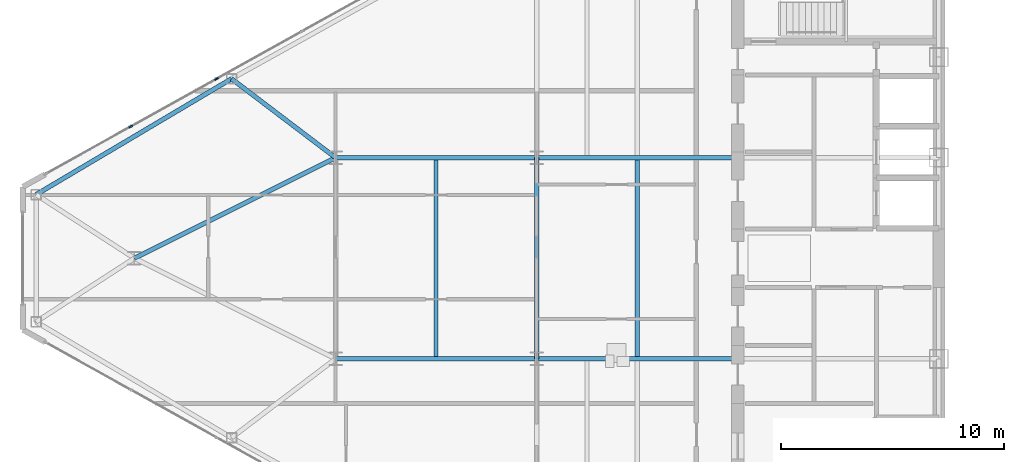
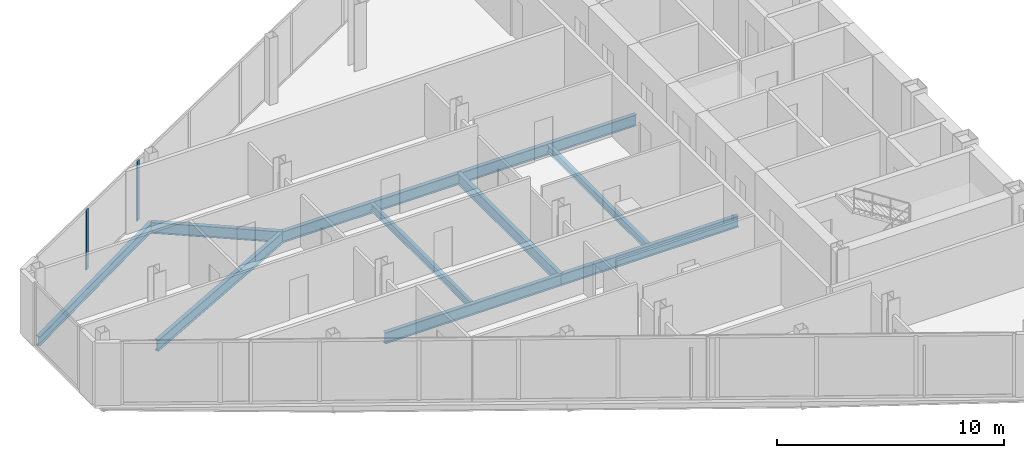
# One storey, part 6 of 26: 10 beams, 2 members, 1 element without a shape of its own.
"""IFC4 building model written with IfcOpenShell, lengths in metres."""

from ifc_helpers import new_model, si_unit, direction, frame, origin, origin_2d, place, context, subcontext, project, spatial, rectangle, i_section, extrude, source, transform, mapped, material, layer, layer_set, material_profile, profile_set, type_object, type_shapes, element, aggregate, save


model = new_model("IFC4")

# Units and contexts
model_context = context("Model", 3, precision=1e-05, world=origin(), true_north=direction((0.0, 1.0)))
body_context = subcontext(model_context, "Body", "Model", "MODEL_VIEW")
ifc_project = project(units=[si_unit("LENGTHUNIT", "METRE"), si_unit("AREAUNIT", "SQUARE_METRE"), si_unit("VOLUMEUNIT", "CUBIC_METRE"), si_unit("PLANEANGLEUNIT", "RADIAN"), si_unit("MASSUNIT", "GRAM", prefix="KILO")], contexts=[model_context])

# Site, building, storey
site_placement = place(None, origin())
site = spatial("IfcSite", under=ifc_project, at=site_placement, CompositionType="ELEMENT")
building_placement = place(site_placement, origin())
building = spatial("IfcBuilding", under=site, at=building_placement, Name="Seokmaru Belvedere", CompositionType="ELEMENT")
storey_placement = place(building_placement, frame((0.0, 0.0, 177.89990234375)))
storey = spatial("IfcBuildingStorey", under=building, at=storey_placement, Name="L47", CompositionType="ELEMENT", Elevation=177.89990234375)

# Beams
ifc_material_1 = material(Name="Steel SM355 (355 MPa)", Category="steel")
ifc_material_profile_1 = material_profile(ifc_material_1, i_section(OverallWidth=0.199951171875, OverallDepth=0.60009765625, WebThickness=0.010986328125, FlangeThickness=0.01708984375, at=origin_2d()), Name="H-600x200x11x17")
ifc_profile_set_1 = profile_set([ifc_material_profile_1], Name="Steel SM355 (355 MPa)")
beam_type_1 = type_object("IfcBeamType", Name="Primary Floor Girder H-600", PredefinedType="BEAM", material=ifc_profile_set_1)
shared_shape_1 = source(origin(), body_context, "Body", "SweptSolid", [
    extrude(i_section(OverallWidth=0.199951171875, OverallDepth=0.60009765625, WebThickness=0.010986328125, FlangeThickness=0.01708984375, at=origin_2d()), origin(), (0.0, 0.0, 1.0), 9.0),
])
for number, where, z_axis, x_axis, name in (
    (1, (-45.5, -4.5, -0.52001953125), (0.0, 1.0, 0.0), (-1.0, 0.0, 0.0), "L47 W Interior Grid Girder 2"),
    (2, (-45.5, -4.5, -0.52001953125), (1.0, 0.0, 0.0), (0.0, 1.0, 0.0), "L47 W Wing Primary Girder 2"),
    (3, (-45.5, 4.5, -0.52001953125), (1.0, 0.0, 0.0), (0.0, 1.0, 0.0), "L47 W Wing Primary Girder 3"),
    (4, (-54.5, -4.5, -0.52001953125), (1.0, 0.0, 0.0), (0.0, 1.0, 0.0), "L47 W Outer Wing Girder 1"),
    (5, (-54.5, 4.5, -0.52001953125), (1.0, 0.0, 0.0), (0.0, 1.0, 0.0), "L47 W Outer Wing Girder 2"),
):
    element("IfcBeam", number, at=place(storey_placement, frame(where, z_axis=z_axis, x_axis=x_axis)), inside=storey, type_object=beam_type_1, Name=name, PredefinedType="BEAM", context=body_context, shape_type="MappedRepresentation", body=[
        mapped(shared_shape_1, transform((0.0, 0.0, 0.0), scale=1.0)),
    ])
shared_shape_2 = source(origin(), body_context, "Body", "SweptSolid", [
    extrude(i_section(OverallWidth=0.199951171875, OverallDepth=0.60009765625, WebThickness=0.010986328125, FlangeThickness=0.01708984375, at=origin_2d()), origin(), (0.0, 0.0, 1.0), 10.062255859375),
])
beam_1_placement = place(storey_placement, frame((-54.5, 4.5, -0.52001953125), z_axis=(-0.894427191, -0.4472135955, 0.0), x_axis=(0.4472135955, -0.894427191, 0.0)))
element("IfcBeam", 6, at=beam_1_placement, inside=storey, type_object=beam_type_1, Name="L47 W Apex Converging Girder 2", PredefinedType="BEAM", context=body_context, shape_type="MappedRepresentation", body=[
    mapped(shared_shape_2, transform((0.0, 0.0, 0.0), scale=1.0)),
])
ifc_material_profile_2 = material_profile(ifc_material_1, i_section(OverallWidth=0.18505859375, OverallDepth=0.389892578125, WebThickness=0.008056640625, FlangeThickness=0.011962890625, at=origin_2d()), Name="H-390x185x8x12")
ifc_profile_set_2 = profile_set([ifc_material_profile_2], Name="Steel SM355 (355 MPa)")
beam_type_2 = type_object("IfcBeamType", Name="Secondary Floor Joist H-350", PredefinedType="JOIST", material=ifc_profile_set_2)
shared_shape_3 = source(origin(), body_context, "Body", "SweptSolid", [
    extrude(i_section(OverallWidth=0.18505859375, OverallDepth=0.389892578125, WebThickness=0.008056640625, FlangeThickness=0.011962890625, at=origin_2d()), origin(), (0.0, 0.0, 1.0), 8.7900390625),
])
type_shapes(beam_type_2, [shared_shape_3])
for number, where, z_axis, x_axis, name in (
    (7, (-41.0, -4.39501953125, -0.414794921875), (0.0, 1.0, 0.0), (-1.0, 0.0, 0.0), "L47 W Secondary Floor Joist 2"),
    (8, (-50.0, -4.39501953125, -0.414794921875), (0.0, 1.0, 0.0), (-1.0, 0.0, 0.0), "L47 W Outer Bay Secondary Joist"),
):
    element("IfcBeam", number, at=place(storey_placement, frame(where, z_axis=z_axis, x_axis=x_axis)), inside=storey, type_object=beam_type_2, Name=name, PredefinedType="JOIST", context=body_context, shape_type="MappedRepresentation", body=[
        mapped(shared_shape_3, transform((0.0, 0.0, 0.0), scale=1.0)),
    ])
ifc_material_profile_3 = material_profile(ifc_material_1, i_section(OverallWidth=0.199951171875, OverallDepth=0.5, WebThickness=0.010009765625, FlangeThickness=0.01611328125, at=origin_2d()), Name="H-500x200x10x16")
ifc_profile_set_3 = profile_set([ifc_material_profile_3], Name="Steel SM355 (355 MPa)")
beam_type_3 = type_object("IfcBeamType", Name="Perimeter Spandrel Beam H-500", PredefinedType="SPANDREL", material=ifc_profile_set_3)
shared_shape_4 = source(origin(), body_context, "Body", "SweptSolid", [
    extrude(i_section(OverallWidth=0.199951171875, OverallDepth=0.5, WebThickness=0.010009765625, FlangeThickness=0.01611328125, at=origin_2d()), origin(), (0.0, 0.0, 1.0), 10.16650390625),
])
type_shapes(beam_type_3, [shared_shape_4])
beam_2_placement = place(storey_placement, frame((-59.154541015625, 8.031494140625, -0.469970703125), z_axis=(-0.860209996506, -0.509939959124, 0.0), x_axis=(0.509939959124, -0.860209996506, 0.0)))
element("IfcBeam", 9, at=beam_2_placement, inside=storey, type_object=beam_type_3, Name="L47 W Faceted Flank Spandrel N-4", PredefinedType="SPANDREL", context=body_context, shape_type="MappedRepresentation", body=[
    mapped(shared_shape_4, transform((0.0, 0.0, 0.0), scale=1.0)),
])
shared_shape_5 = source(origin(), body_context, "Body", "SweptSolid", [
    extrude(i_section(OverallWidth=0.199951171875, OverallDepth=0.60009765625, WebThickness=0.010986328125, FlangeThickness=0.01708984375, at=origin_2d()), origin(), (0.0, 0.0, 1.0), 5.842529296875),
])
type_shapes(beam_type_1, [shared_shape_1, shared_shape_2, shared_shape_5])
beam_3_placement = place(storey_placement, frame((-59.154541015625, 8.031494140625, -0.52001953125), z_axis=(0.796653109879, -0.604436781243, 0.0), x_axis=(0.604436781243, 0.796653109879, 0.0)))
element("IfcBeam", 10, at=beam_3_placement, inside=storey, type_object=beam_type_1, Name="L47 W Flank Radial Floor Girder N-3", PredefinedType="BEAM", context=body_context, shape_type="MappedRepresentation", body=[
    mapped(shared_shape_5, transform((0.0, 0.0, 0.0), scale=1.0)),
])

# Curtain wall, members
ifc_material_2 = material(Name="Bronze Triple Insulating Glass", Category="glass")
ifc_layer = layer(ifc_material_2, 0.179931640625)
ifc_layer_set = layer_set([ifc_layer], Name="Bronze Triple Insulating Glass")
curtain_wall_type = type_object("IfcCurtainWallType", Name="High-Rise Wind-Corner Curtain Wall System CW-5", PredefinedType="NOTDEFINED", material=ifc_layer_set)
curtain_wall_placement = place(storey_placement, origin())
curtain_wall = element("IfcCurtainWall", 11, at=curtain_wall_placement, inside=storey, type_object=curtain_wall_type, Name="L47 Curtain Wall WF3", PredefinedType="NOTDEFINED")
ifc_material_3 = material(Name="Anodised Bronze Aluminium", Category="aluminium")
ifc_material_profile_4 = material_profile(ifc_material_3, rectangle(XDim=0.06494140625, YDim=0.179931640625, at=origin_2d()), Name="CW-M-65x180")
ifc_profile_set_4 = profile_set([ifc_material_profile_4], Name="Anodised Bronze Aluminium")
member_type = type_object("IfcMemberType", Name="Bronze Unitised Mullion 65x180", PredefinedType="MULLION", material=ifc_profile_set_4)
shared_shape_6 = source(origin(), body_context, "Body", "SweptSolid", [
    extrude(rectangle(XDim=0.06494140625, YDim=0.179931640625, at=origin_2d()), origin(), (0.0, 0.0, 1.0), 3.25),
])
type_shapes(member_type, [shared_shape_6])
member_1_placement = place(storey_placement, frame((-59.83056640625, 8.021728515625, 0.065185546875), z_axis=(0.0, 0.0, 1.0), x_axis=(0.486047125147, -0.873932601598, 0.0)))
member_1 = element("IfcMember", 12, at=member_1_placement, type_object=member_type, Name="CW:L47:WF3 Mullion 8", PredefinedType="MULLION", context=body_context, shape_type="MappedRepresentation", body=[
    mapped(shared_shape_6, transform((0.0, 0.0, 0.0), scale=1.0)),
])
member_2_placement = place(storey_placement, frame((-63.662841796875, 5.890380859375, 0.065185546875), z_axis=(0.0, 0.0, 1.0), x_axis=(0.486047125147, -0.873932601598, 0.0)))
member_2 = element("IfcMember", 13, at=member_2_placement, type_object=member_type, Name="CW:L47:WF3 Mullion 9", PredefinedType="MULLION", context=body_context, shape_type="MappedRepresentation", body=[
    mapped(shared_shape_6, transform((0.0, 0.0, 0.0), scale=1.0)),
])
aggregate(curtain_wall, [member_1, member_2])

save(model, "model.ifc")
